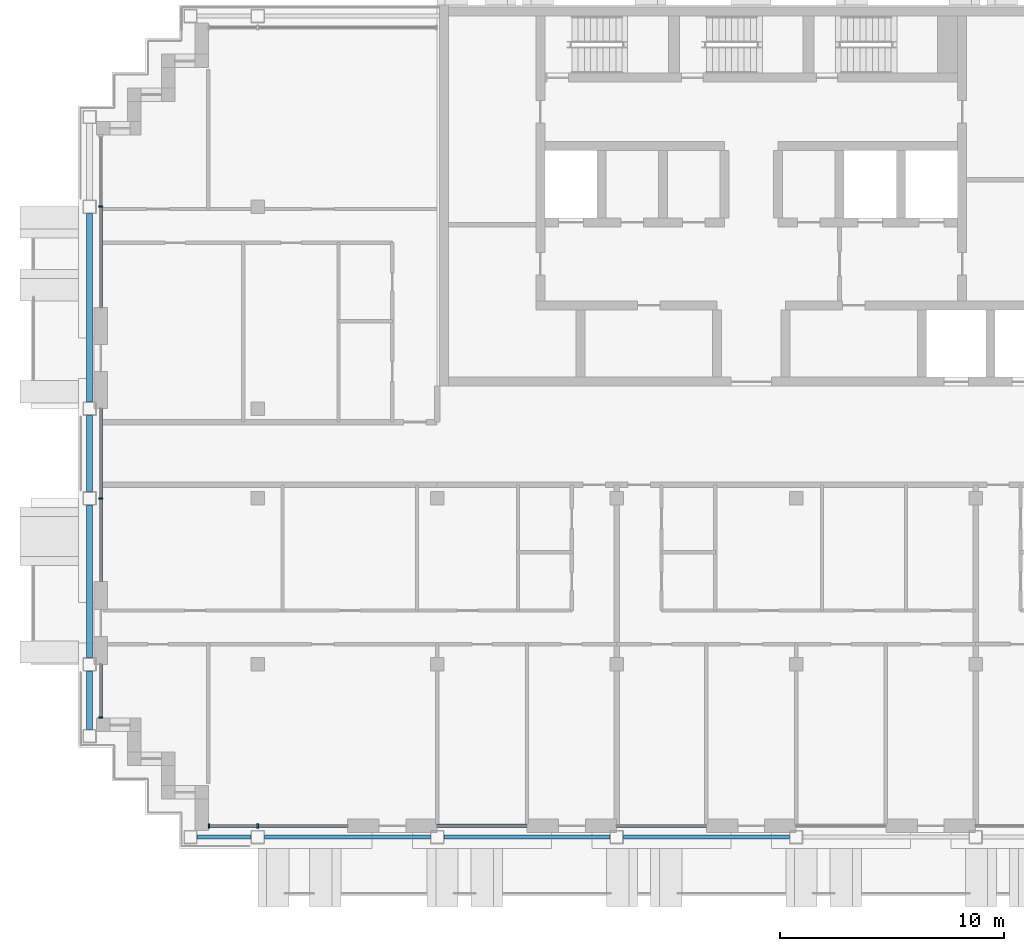
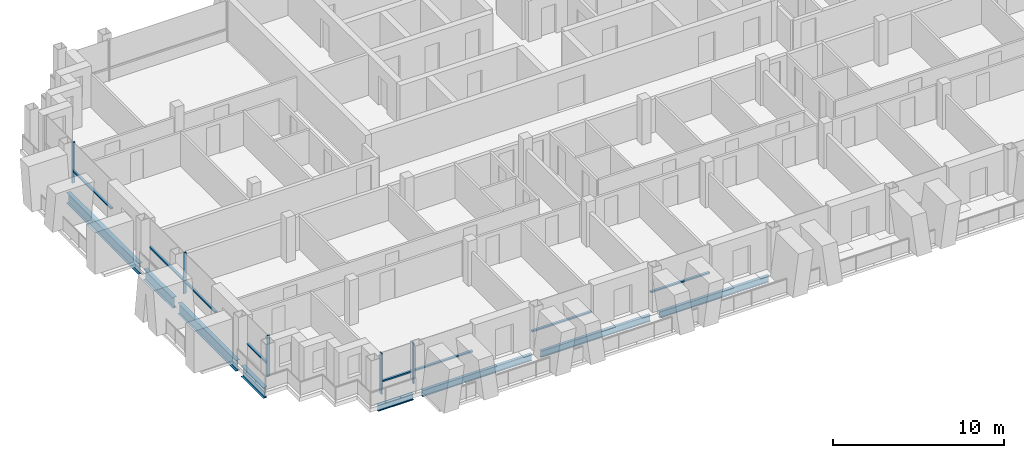
# One storey, part 2 of 16: 13 members, 8 beams, 6 elements without a shape of their own.
"""IFC4 building model written with IfcOpenShell, lengths in metres."""

from ifc_helpers import new_model, si_unit, direction, frame, origin, origin_2d, place, context, subcontext, project, spatial, rectangle, i_section, extrude, material, material_profile, profile_set, type_object, element, aggregate, save


model = new_model("IFC4")

# Units and contexts
model_context = context("Model", 3, precision=1e-05, world=origin(), true_north=direction((0.0, 1.0)))
body_context = subcontext(model_context, "Body", "Model", "MODEL_VIEW")
ifc_project = project(units=[si_unit("LENGTHUNIT", "METRE"), si_unit("AREAUNIT", "SQUARE_METRE"), si_unit("VOLUMEUNIT", "CUBIC_METRE"), si_unit("PLANEANGLEUNIT", "RADIAN"), si_unit("MASSUNIT", "GRAM", prefix="KILO")], contexts=[model_context])

# Site, building, storey
site_placement = place(None, origin())
site = spatial("IfcSite", under=ifc_project, at=site_placement, CompositionType="ELEMENT")
building_placement = place(site_placement, origin())
building = spatial("IfcBuilding", under=site, at=building_placement, Name="Vidyagriha Tower", CompositionType="ELEMENT")
storey_placement = place(building_placement, frame((0.0, 0.0, 230.0)))
storey = spatial("IfcBuildingStorey", under=building, at=storey_placement, Name="L60", CompositionType="ELEMENT", Elevation=230.0)

# Beams
ifc_material_1 = material(Name="Steel ASTM A992 Grade 50", Category="steel")
ifc_material_profile_1 = material_profile(ifc_material_1, i_section(OverallWidth=0.2666015625, OverallDepth=0.76953125, WebThickness=0.015625, FlangeThickness=0.025390625, at=origin_2d()), Name="W30X132")
ifc_profile_set_1 = profile_set([ifc_material_profile_1], Name="Steel ASTM A992 Grade 50")
beam_type_1 = type_object("IfcBeamType", Name="Cantilever edge beam W30X132", PredefinedType="SPANDREL", material=ifc_profile_set_1)
beam_1_placement = place(storey_placement, frame((-29.5, -12.300048828125, -0.664794921875), z_axis=(0.0, 1.0, 0.0), x_axis=(-1.0, 0.0, 0.0)))
element("IfcBeam", 1, at=beam_1_placement, inside=storey, type_object=beam_type_1, Name="st-beam-L60-W08", PredefinedType="SPANDREL", context=body_context, shape_type="SweptSolid", body=[
    extrude(i_section(OverallWidth=0.2666015625, OverallDepth=0.76953125, WebThickness=0.015625, FlangeThickness=0.025390625, at=origin_2d()), origin(), (0.0, 0.0, 1.0), 2.60009765625),
])
beam_2_placement = place(storey_placement, frame((-29.5, -9.10009765625, -0.664794921875), z_axis=(0.0, 1.0, 0.0), x_axis=(-1.0, 0.0, 0.0)))
element("IfcBeam", 2, at=beam_2_placement, inside=storey, type_object=beam_type_1, Name="st-beam-L60-W09", PredefinedType="SPANDREL", context=body_context, shape_type="SweptSolid", body=[
    extrude(i_section(OverallWidth=0.2666015625, OverallDepth=0.76953125, WebThickness=0.015625, FlangeThickness=0.025390625, at=origin_2d()), origin(), (0.0, 0.0, 1.0), 6.800048828125),
])
beam_3_placement = place(storey_placement, frame((-29.5, -1.699951171875, -0.664794921875), z_axis=(0.0, 1.0, 0.0), x_axis=(-1.0, 0.0, 0.0)))
element("IfcBeam", 3, at=beam_3_placement, inside=storey, type_object=beam_type_1, Name="st-beam-L60-W10", PredefinedType="SPANDREL", context=body_context, shape_type="SweptSolid", body=[
    extrude(i_section(OverallWidth=0.2666015625, OverallDepth=0.76953125, WebThickness=0.015625, FlangeThickness=0.025390625, at=origin_2d()), origin(), (0.0, 0.0, 1.0), 3.39990234375),
])
beam_4_placement = place(storey_placement, frame((-29.5, 2.300048828125, -0.664794921875), z_axis=(0.0, 1.0, 0.0), x_axis=(-1.0, 0.0, 0.0)))
element("IfcBeam", 4, at=beam_4_placement, inside=storey, type_object=beam_type_1, Name="st-beam-L60-W11", PredefinedType="SPANDREL", context=body_context, shape_type="SweptSolid", body=[
    extrude(i_section(OverallWidth=0.2666015625, OverallDepth=0.76953125, WebThickness=0.015625, FlangeThickness=0.025390625, at=origin_2d()), origin(), (0.0, 0.0, 1.0), 8.39990234375),
])
ifc_material_2 = material(Name="Steel ASTM A992 Grade 50", Category="steel")
ifc_material_profile_2 = material_profile(ifc_material_2, i_section(OverallWidth=0.19189453125, OverallDepth=0.46240234375, WebThickness=0.010498046875, FlangeThickness=0.017578125, at=origin_2d()), Name="W18X60")
ifc_profile_set_2 = profile_set([ifc_material_profile_2], Name="Steel ASTM A992 Grade 50")
beam_type_2 = type_object("IfcBeamType", Name="Edge beam W18X60", PredefinedType="SPANDREL", material=ifc_profile_set_2)
beam_5_placement = place(storey_placement, frame((-24.699951171875, -17.10009765625, -0.51123046875), z_axis=(1.0, 0.0, 0.0), x_axis=(0.0, 1.0, 0.0)))
element("IfcBeam", 5, at=beam_5_placement, inside=storey, type_object=beam_type_2, Name="st-beam-L60-S01", PredefinedType="SPANDREL", context=body_context, shape_type="SweptSolid", body=[
    extrude(i_section(OverallWidth=0.19189453125, OverallDepth=0.46240234375, WebThickness=0.010498046875, FlangeThickness=0.017578125, at=origin_2d()), origin(), (0.0, 0.0, 1.0), 2.39990234375),
])
for number, where, z_axis, x_axis, name in (
    (6, (-21.699951171875, -17.10009765625, -0.51123046875), (1.0, 0.0, 0.0), (0.0, 1.0, 0.0), "st-beam-L60-S02"),
    (7, (-13.699951171875, -17.10009765625, -0.51123046875), (1.0, 0.0, 0.0), (0.0, 1.0, 0.0), "st-beam-L60-S03"),
    (8, (-5.699951171875, -17.10009765625, -0.51123046875), (1.0, 0.0, 0.0), (0.0, 1.0, 0.0), "st-beam-L60-S04"),
):
    element("IfcBeam", number, at=place(storey_placement, frame(where, z_axis=z_axis, x_axis=x_axis)), inside=storey, type_object=beam_type_2, Name=name, PredefinedType="SPANDREL", context=body_context, shape_type="SweptSolid", body=[
        extrude(i_section(OverallWidth=0.19189453125, OverallDepth=0.46240234375, WebThickness=0.010498046875, FlangeThickness=0.017578125, at=origin_2d()), origin(), (0.0, 0.0, 1.0), 7.39990234375),
    ])

# Curtain wall, member
ifc_material_3 = material(Name="Aluminium and glass curtain wall", Category="aluminium")
curtain_wall_type = type_object("IfcCurtainWallType", Name="Dwelling skin unitised curtain wall", PredefinedType="USERDEFINED", material=ifc_material_3)
curtain_wall_1_placement = place(storey_placement, origin())
curtain_wall_1 = element("IfcCurtainWall", 9, at=curtain_wall_1_placement, inside=storey, type_object=curtain_wall_type, Name="CW1 dwelling skin", ObjectType="UNITISED", PredefinedType="USERDEFINED")
ifc_material_4 = material(Name="Aluminium black anodised", Category="aluminium")
ifc_material_profile_3 = material_profile(ifc_material_4, rectangle(XDim=0.199951171875, YDim=0.070068359375, at=origin_2d()), Name="Mullion 70x200 black aluminium")
ifc_profile_set_3 = profile_set([ifc_material_profile_3], Name="Aluminium black anodised")
member_type_1 = type_object("IfcMemberType", Name="Mullion 70x200 black aluminium", PredefinedType="MULLION", material=ifc_profile_set_3)
member_1_placement = place(storey_placement, frame((-29.0, 11.0, 0.0)))
member_1 = element("IfcMember", 10, at=member_1_placement, type_object=member_type_1, Name="CW1 mullion 2", PredefinedType="MULLION", context=body_context, shape_type="SweptSolid", body=[
    extrude(rectangle(XDim=0.199951171875, YDim=0.070068359375, at=origin_2d()), origin(), (0.0, 0.0, 1.0), 2.919921875),
])

curtain_wall_2_placement = place(storey_placement, origin())
curtain_wall_2 = element("IfcCurtainWall", 11, at=curtain_wall_2_placement, inside=storey, type_object=curtain_wall_type, Name="CW1 dwelling skin", ObjectType="UNITISED", PredefinedType="USERDEFINED")
member_2_placement = place(storey_placement, frame((-29.0, -2.0, 0.0)))
member_2 = element("IfcMember", 12, at=member_2_placement, type_object=member_type_1, Name="CW1 mullion 2", PredefinedType="MULLION", context=body_context, shape_type="SweptSolid", body=[
    extrude(rectangle(XDim=0.199951171875, YDim=0.070068359375, at=origin_2d()), origin(), (0.0, 0.0, 1.0), 2.919921875),
])

curtain_wall_3_placement = place(storey_placement, origin())
curtain_wall_3 = element("IfcCurtainWall", 13, at=curtain_wall_3_placement, inside=storey, type_object=curtain_wall_type, Name="CW1 dwelling skin", ObjectType="UNITISED", PredefinedType="USERDEFINED")
member_3_placement = place(storey_placement, frame((-29.0, -11.764892578125, 0.0)))
member_3 = element("IfcMember", 14, at=member_3_placement, type_object=member_type_1, Name="CW1 mullion 2", PredefinedType="MULLION", context=body_context, shape_type="SweptSolid", body=[
    extrude(rectangle(XDim=0.199951171875, YDim=0.070068359375, at=origin_2d()), origin(), (0.0, 0.0, 1.0), 2.919921875),
])

# Curtain wall, members
curtain_wall_4_placement = place(storey_placement, origin())
curtain_wall_4 = element("IfcCurtainWall", 15, at=curtain_wall_4_placement, inside=storey, type_object=curtain_wall_type, Name="CW1 dwelling skin", ObjectType="UNITISED", PredefinedType="USERDEFINED")
member_4_placement = place(storey_placement, frame((-24.1650390625, -16.60009765625, 0.0), z_axis=(0.0, 0.0, 1.0), x_axis=(0.0, 1.0, 0.0)))
member_4 = element("IfcMember", 16, at=member_4_placement, type_object=member_type_1, Name="CW1 mullion 1", PredefinedType="MULLION", context=body_context, shape_type="SweptSolid", body=[
    extrude(rectangle(XDim=0.199951171875, YDim=0.070068359375, at=origin_2d()), origin(), (0.0, 0.0, 1.0), 2.919921875),
])
member_5_placement = place(storey_placement, frame((-22.0, -16.60009765625, 0.0), z_axis=(0.0, 0.0, 1.0), x_axis=(0.0, 1.0, 0.0)))
member_5 = element("IfcMember", 17, at=member_5_placement, type_object=member_type_1, Name="CW1 mullion 2", PredefinedType="MULLION", context=body_context, shape_type="SweptSolid", body=[
    extrude(rectangle(XDim=0.199951171875, YDim=0.070068359375, at=origin_2d()), origin(), (0.0, 0.0, 1.0), 2.919921875),
])

# Member
ifc_material_5 = material(Name="Aluminium black anodised", Category="aluminium")
ifc_material_profile_4 = material_profile(ifc_material_5, rectangle(XDim=0.159912109375, YDim=0.10009765625, at=origin_2d()), Name="Transom 100x160 black aluminium")
ifc_profile_set_4 = profile_set([ifc_material_profile_4], Name="Aluminium black anodised")
member_type_2 = type_object("IfcMemberType", Name="Transom 100x160 black aluminium", PredefinedType="USERDEFINED", material=ifc_profile_set_4)
member_6_placement = place(storey_placement, frame((-29.0, 10.965087890625, 0.89990234375), z_axis=(0.0, -1.0, 0.0), x_axis=(1.0, 0.0, 0.0)))
member_6 = element("IfcMember", 18, at=member_6_placement, type_object=member_type_2, Name="CW1 transom 2.1", ObjectType="TRANSOM", PredefinedType="USERDEFINED", context=body_context, shape_type="SweptSolid", body=[
    extrude(rectangle(XDim=0.159912109375, YDim=0.10009765625, at=origin_2d()), origin(), (0.0, 0.0, 1.0), 4.465087890625),
])

aggregate(curtain_wall_1, [member_1, member_6])

member_7_placement = place(storey_placement, frame((-29.0, 2.0, 0.89990234375), z_axis=(0.0, -1.0, 0.0), x_axis=(1.0, 0.0, 0.0)))
member_7 = element("IfcMember", 19, at=member_7_placement, type_object=member_type_2, Name="CW1 transom 1.1", ObjectType="TRANSOM", PredefinedType="USERDEFINED", context=body_context, shape_type="SweptSolid", body=[
    extrude(rectangle(XDim=0.159912109375, YDim=0.10009765625, at=origin_2d()), origin(), (0.0, 0.0, 1.0), 3.965087890625),
])

member_8_placement = place(storey_placement, frame((-29.0, -2.034912109375, 0.89990234375), z_axis=(0.0, -1.0, 0.0), x_axis=(1.0, 0.0, 0.0)))
member_8 = element("IfcMember", 20, at=member_8_placement, type_object=member_type_2, Name="CW1 transom 2.1", ObjectType="TRANSOM", PredefinedType="USERDEFINED", context=body_context, shape_type="SweptSolid", body=[
    extrude(rectangle(XDim=0.159912109375, YDim=0.10009765625, at=origin_2d()), origin(), (0.0, 0.0, 1.0), 3.6650390625),
])

aggregate(curtain_wall_2, [member_2, member_7, member_8])

member_9_placement = place(storey_placement, frame((-29.0, -9.39990234375, 0.89990234375), z_axis=(0.0, -1.0, 0.0), x_axis=(1.0, 0.0, 0.0)))
member_9 = element("IfcMember", 21, at=member_9_placement, type_object=member_type_2, Name="CW1 transom 1.1", ObjectType="TRANSOM", PredefinedType="USERDEFINED", context=body_context, shape_type="SweptSolid", body=[
    extrude(rectangle(XDim=0.159912109375, YDim=0.10009765625, at=origin_2d()), origin(), (0.0, 0.0, 1.0), 2.330078125),
])

aggregate(curtain_wall_3, [member_3, member_9])

member_10_placement = place(storey_placement, frame((-24.1298828125, -16.60009765625, 0.89990234375), z_axis=(1.0, 0.0, 0.0), x_axis=(0.0, 1.0, 0.0)))
member_10 = element("IfcMember", 22, at=member_10_placement, type_object=member_type_2, Name="CW1 transom 1.1", ObjectType="TRANSOM", PredefinedType="USERDEFINED", context=body_context, shape_type="SweptSolid", body=[
    extrude(rectangle(XDim=0.159912109375, YDim=0.10009765625, at=origin_2d()), origin(), (0.0, 0.0, 1.0), 2.094970703125),
])

member_11_placement = place(storey_placement, frame((-21.965087890625, -16.60009765625, 0.89990234375), z_axis=(1.0, 0.0, 0.0), x_axis=(0.0, 1.0, 0.0)))
member_11 = element("IfcMember", 23, at=member_11_placement, type_object=member_type_2, Name="CW1 transom 2.1", ObjectType="TRANSOM", PredefinedType="USERDEFINED", context=body_context, shape_type="SweptSolid", body=[
    extrude(rectangle(XDim=0.159912109375, YDim=0.10009765625, at=origin_2d()), origin(), (0.0, 0.0, 1.0), 3.965087890625),
])

aggregate(curtain_wall_4, [member_4, member_5, member_10, member_11])

# Curtain wall, member
curtain_wall_5_placement = place(storey_placement, origin())
curtain_wall_5 = element("IfcCurtainWall", 24, at=curtain_wall_5_placement, inside=storey, type_object=curtain_wall_type, Name="CW1 dwelling skin", ObjectType="UNITISED", PredefinedType="USERDEFINED")
member_12_placement = place(storey_placement, frame((-14.0, -16.60009765625, 0.89990234375), z_axis=(1.0, 0.0, 0.0), x_axis=(0.0, 1.0, 0.0)))
member_12 = element("IfcMember", 25, at=member_12_placement, type_object=member_type_2, Name="CW1 transom 1.1", ObjectType="TRANSOM", PredefinedType="USERDEFINED", context=body_context, shape_type="SweptSolid", body=[
    extrude(rectangle(XDim=0.159912109375, YDim=0.10009765625, at=origin_2d()), origin(), (0.0, 0.0, 1.0), 4.0),
])
aggregate(curtain_wall_5, [member_12])

curtain_wall_6_placement = place(storey_placement, origin())
curtain_wall_6 = element("IfcCurtainWall", 26, at=curtain_wall_6_placement, inside=storey, type_object=curtain_wall_type, Name="CW1 dwelling skin", ObjectType="UNITISED", PredefinedType="USERDEFINED")
member_13_placement = place(storey_placement, frame((-6.0, -16.60009765625, 0.89990234375), z_axis=(1.0, 0.0, 0.0), x_axis=(0.0, 1.0, 0.0)))
member_13 = element("IfcMember", 27, at=member_13_placement, type_object=member_type_2, Name="CW1 transom 1.1", ObjectType="TRANSOM", PredefinedType="USERDEFINED", context=body_context, shape_type="SweptSolid", body=[
    extrude(rectangle(XDim=0.159912109375, YDim=0.10009765625, at=origin_2d()), origin(), (0.0, 0.0, 1.0), 4.0),
])
aggregate(curtain_wall_6, [member_13])

save(model, "model.ifc")
